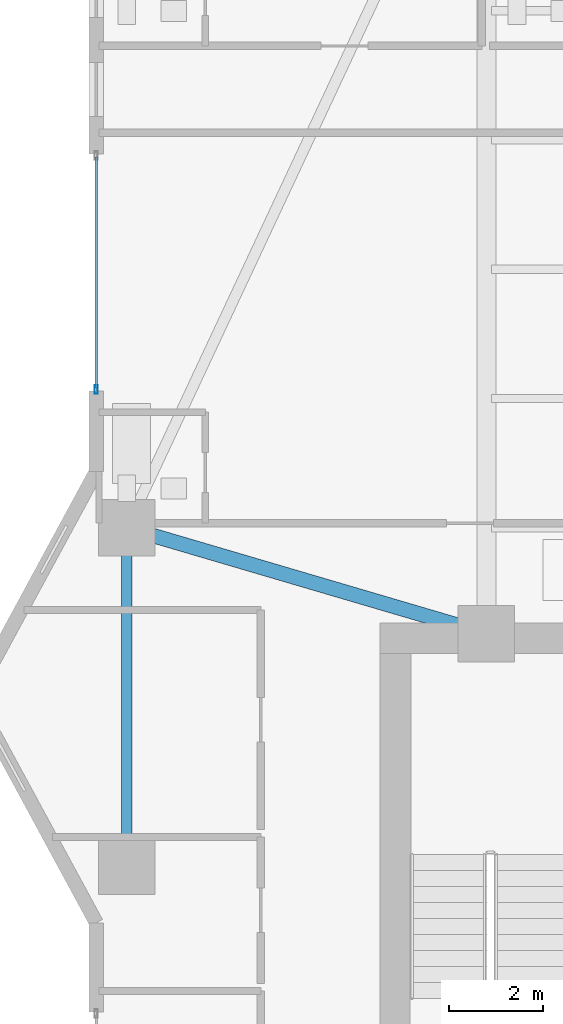
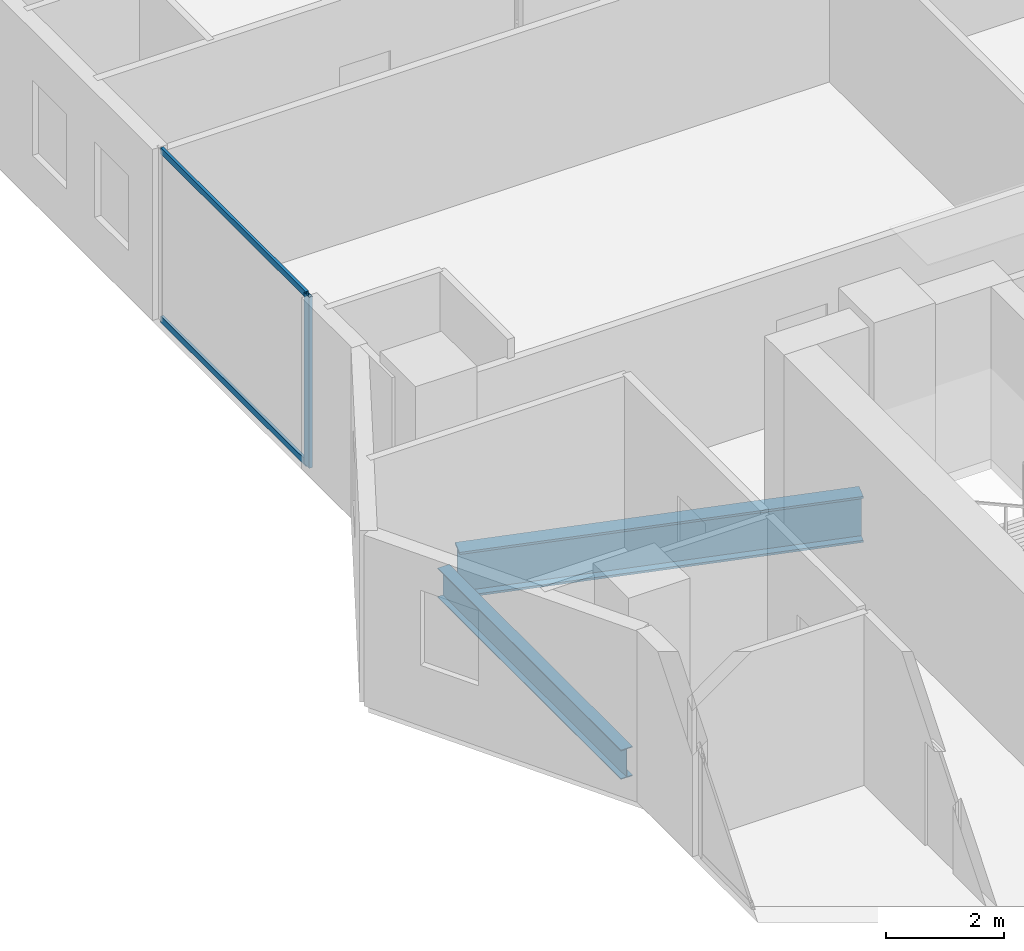
# One storey, part 7 of 32: 3 members, 2 beams, 1 element without a shape of its own.
"""IFC4 building model written with IfcOpenShell, lengths in metres."""

import ifcopenshell
import ifcopenshell.guid

model = None  # the IFC model being written
_history = None  # IfcOwnerHistory: only IFC2X3 demands one
_inside = {}  # id of a spatial element -> (the spatial element, [elements in it])
_under = {}  # id of a project, library or spatial element -> (it, [spatial elements below it])
_declared = {}  # id of a project -> (the project, [libraries it declares])
_typed = {}  # id of a type object -> (the type object, [elements of that type])
_made_of = {}  # id of a material, layer set ... -> (it, [elements and type objects made of it])


def new_model(schema):
    """Start an empty IFC model of exactly this schema.

    Asked for "IFC4X3", IfcOpenShell would pick the latest addendum, in which some entities
    have other attributes; the version numbers below select the first issue.
    IFC2X3 requires an IfcOwnerHistory on every rooted entity: one is made here for all.
    """
    global model, _history
    if schema == "IFC4X3":
        model = ifcopenshell.file(schema_version=(4, 3, 0, 0))
    else:
        model = ifcopenshell.file(schema=schema)
    _inside.clear()
    _under.clear()
    _declared.clear()
    _typed.clear()
    _made_of.clear()
    _history = None
    if model.schema == "IFC2X3":
        org = make("IfcOrganization", Name="unknown")
        user = make(
            "IfcPersonAndOrganization",
            ThePerson=make("IfcPerson", FamilyName="unknown"),
            TheOrganization=org,
        )
        app = make(
            "IfcApplication",
            ApplicationDeveloper=org,
            Version="unknown",
            ApplicationFullName="unknown",
            ApplicationIdentifier="unknown",
        )
        _history = make(
            "IfcOwnerHistory",
            OwningUser=user,
            OwningApplication=app,
            ChangeAction="ADDED",
            CreationDate=0,
        )
    return model


def make(cls, **values):
    """One entity of the class cls with the attributes given. An attribute that is None is left unset."""
    return model.create_entity(
        cls, **{name: value for name, value in values.items() if value is not None}
    )


def rooted(cls, **values):
    """An entity with a GlobalId (a new one), such as an element, a storey or a relation."""
    return make(cls, GlobalId=ifcopenshell.guid.new(), OwnerHistory=_history, **values)


def si_unit(unit_type, name, prefix=None):
    """IfcSIUnit, for example si_unit("LENGTHUNIT", "METRE", prefix="MILLI")."""
    return make("IfcSIUnit", UnitType=unit_type, Prefix=prefix, Name=name)


def assignment(units):
    """IfcUnitAssignment: the units of a project."""
    return None if units is None else make("IfcUnitAssignment", Units=units)


def point(xyz):
    """IfcCartesianPoint."""
    return None if xyz is None else make("IfcCartesianPoint", Coordinates=xyz)


def direction(xyz):
    """IfcDirection."""
    return None if xyz is None else make("IfcDirection", DirectionRatios=xyz)


def frame(location, z_axis=None, x_axis=None):
    """IfcAxis2Placement3D, a coordinate frame: its origin and axes. An axis left out is left unset."""
    return make(
        "IfcAxis2Placement3D",
        Location=point(location),
        Axis=direction(z_axis),
        RefDirection=direction(x_axis),
    )


def frame_2d(location, x_axis=None):
    """IfcAxis2Placement2D, a coordinate frame in the plane: its origin and x axis."""
    return make(
        "IfcAxis2Placement2D", Location=point(location), RefDirection=direction(x_axis)
    )


def origin():
    """The frame at (0, 0, 0) with its axes left unset."""
    return frame((0.0, 0.0, 0.0))


def origin_2d():
    """The frame at (0, 0) in the plane with its x axis left unset."""
    return frame_2d((0.0, 0.0))


def place(relative_to, where):
    """IfcLocalPlacement: puts the frame where relative to a parent placement (None: the world)."""
    return make(
        "IfcLocalPlacement", PlacementRelTo=relative_to, RelativePlacement=where
    )


def context(
    kind, dimensions, precision=None, world=None, true_north=None, identifier=None
):
    """IfcGeometricRepresentationContext, for example the 3D "Model" context."""
    return make(
        "IfcGeometricRepresentationContext",
        ContextIdentifier=identifier,
        ContextType=kind,
        CoordinateSpaceDimension=dimensions,
        Precision=precision,
        WorldCoordinateSystem=world,
        TrueNorth=true_north,
    )


def subcontext(parent, identifier, kind, view, scale=None):
    """IfcGeometricRepresentationSubContext, for example "Body" below "Model"."""
    return make(
        "IfcGeometricRepresentationSubContext",
        ContextIdentifier=identifier,
        ContextType=kind,
        ParentContext=parent,
        TargetScale=scale,
        TargetView=view,
    )


def project(units=None, contexts=None):
    """IfcProject with its units and contexts."""
    return rooted(
        "IfcProject",
        Name="project",
        RepresentationContexts=contexts,
        UnitsInContext=assignment(units),
    )


def spatial(cls, under=None, at=None, **own):
    """A site, building, storey or space (cls), placed at a placement, below another one or the project."""
    s = rooted(cls, ObjectPlacement=at, **own)
    if under is not None:
        _under.setdefault(under.id(), (under, []))[1].append(s)
    return s


def profile(cls, at=None, kind="AREA", **sizes):
    """A parametric profile (cls). Its sizes go by their IFC names, for example OverallWidth=200.0."""
    return make(cls, ProfileType=kind, Position=at, **sizes)


def hollow_rectangle(**sizes):
    """IfcRectangleHollowProfileDef."""
    return profile("IfcRectangleHollowProfileDef", **sizes)


def i_section(**sizes):
    """IfcIShapeProfileDef."""
    return profile("IfcIShapeProfileDef", **sizes)


def extrude(swept, where, along, depth):
    """IfcExtrudedAreaSolid: the profile swept, set in the frame where, extruded along a direction by depth."""
    return make(
        "IfcExtrudedAreaSolid",
        SweptArea=swept,
        Position=where,
        ExtrudedDirection=direction(along),
        Depth=depth,
    )


def shape(context_of_items, identifier, shape_type, items):
    """IfcShapeRepresentation: the items that make up one representation, for example the "Body"."""
    return make(
        "IfcShapeRepresentation",
        ContextOfItems=context_of_items,
        RepresentationIdentifier=identifier,
        RepresentationType=shape_type,
        Items=items,
    )


def material(Name=None, Category=None):
    """IfcMaterial."""
    return make("IfcMaterial", Name=Name, Category=Category)


def layer(
    of_material, thickness, ventilated=None, Name=None, Category=None, Priority=None
):
    """IfcMaterialLayer: one layer of a wall or slab, of a material (None: an air gap)."""
    return make(
        "IfcMaterialLayer",
        Material=of_material,
        LayerThickness=thickness,
        IsVentilated=ventilated,
        Name=Name,
        Category=Category,
        Priority=Priority,
    )


def layer_set(layers, Name=None):
    """IfcMaterialLayerSet."""
    return make("IfcMaterialLayerSet", MaterialLayers=layers, LayerSetName=Name)


def material_profile(
    of_material, cross_section, Name=None, Category=None, Priority=None
):
    """IfcMaterialProfile: a cross section and its material."""
    return make(
        "IfcMaterialProfile",
        Name=Name,
        Material=of_material,
        Profile=cross_section,
        Priority=Priority,
        Category=Category,
    )


def profile_set(profiles, Name=None, composite=None):
    """IfcMaterialProfileSet."""
    return make(
        "IfcMaterialProfileSet",
        Name=Name,
        MaterialProfiles=profiles,
        CompositeProfile=composite,
    )


def made_of(thing, what):
    """Note that an element or type object is made of a material, layer set ...; save() writes the relation."""
    if what is not None:
        _made_of.setdefault(what.id(), (what, []))[1].append(thing)
    return thing


def type_object(cls, material=None, **own):
    """A type object (cls), such as IfcWallType, which elements share."""
    return made_of(rooted(cls, **own), material)


def element(
    cls,
    number,
    at=None,
    inside=None,
    cuts=None,
    type_object=None,
    material=None,
    context=None,
    identifier="Body",
    shape_type=None,
    held_by="IfcProductDefinitionShape",
    body=None,
    shapes=None,
    **own,
):
    """One element of the class cls, such as IfcWall. Its Tag is "e" and its number.

    at: its placement. inside: the storey or other place that contains it. cuts: it is an
    opening in that element (IfcRelVoidsElement). A single representation is given by context,
    identifier, shape_type and body (its items); several are given by shapes. held_by: the class
    of the entity that holds the representations. save() writes the other relations.
    """
    e = rooted(cls, Tag="e%d" % number, ObjectPlacement=at, **own)
    if body is not None:
        shapes = [shape(context, identifier, shape_type, body)]
    if shapes is not None:
        e.Representation = make(held_by, Representations=shapes)
    if inside is not None:
        _inside.setdefault(inside.id(), (inside, []))[1].append(e)
    if cuts is not None:
        rooted(
            "IfcRelVoidsElement", RelatingBuildingElement=cuts, RelatedOpeningElement=e
        )
    if type_object is not None:
        _typed.setdefault(type_object.id(), (type_object, []))[1].append(e)
    return made_of(e, material)


def aggregate(whole, parts):
    """IfcRelAggregates: a whole, such as a stair, and the parts it consists of."""
    return rooted("IfcRelAggregates", RelatingObject=whole, RelatedObjects=parts)


def save(model, path):
    """Write the relations noted so far, then the file.

    IfcRelAggregates (storeys below a building ...), IfcRelContainedInSpatialStructure (elements
    in a storey), IfcRelDefinesByType, IfcRelAssociatesMaterial and IfcRelDeclares: one each for
    every whole, place, type object, material and project.
    """
    for whole, parts in _under.values():
        aggregate(whole, parts)
    for where, things in _inside.values():
        rooted(
            "IfcRelContainedInSpatialStructure",
            RelatedElements=things,
            RelatingStructure=where,
        )
    for kind, things in _typed.values():
        rooted("IfcRelDefinesByType", RelatedObjects=things, RelatingType=kind)
    for what, things in _made_of.values():
        rooted("IfcRelAssociatesMaterial", RelatedObjects=things, RelatingMaterial=what)
    for by, libraries in _declared.values():
        rooted("IfcRelDeclares", RelatingContext=by, RelatedDefinitions=libraries)
    model.write(path)


model = new_model("IFC4")

# Units and contexts
model_context = context("Model", 3, precision=1e-05, world=origin(), true_north=direction((0.0, 1.0)))
body_context = subcontext(model_context, "Body", "Model", "MODEL_VIEW")
ifc_project = project(units=[si_unit("LENGTHUNIT", "METRE"), si_unit("AREAUNIT", "SQUARE_METRE"), si_unit("VOLUMEUNIT", "CUBIC_METRE"), si_unit("PLANEANGLEUNIT", "RADIAN"), si_unit("MASSUNIT", "GRAM", prefix="KILO")], contexts=[model_context])

# Site, building, storey
site_placement = place(None, origin())
site = spatial("IfcSite", under=ifc_project, at=site_placement, CompositionType="ELEMENT")
building_placement = place(site_placement, origin())
building = spatial("IfcBuilding", under=site, at=building_placement, Name="Zuhayl Quay Hotel", CompositionType="ELEMENT")
storey_placement = place(building_placement, frame((0.0, 0.0, 192.39990234375)))
storey = spatial("IfcBuildingStorey", under=building, at=storey_placement, Name="L48", CompositionType="ELEMENT", Elevation=192.39990234375)

# Beams
ifc_material_1 = material(Name="Steel ASTM A992 Grade 50", Category="steel")
ifc_material_profile_1 = material_profile(ifc_material_1, i_section(OverallWidth=0.22802734375, OverallDepth=0.60693359375, WebThickness=0.01123046875, FlangeThickness=0.017333984375, at=origin_2d()), Name="W24X76")
ifc_profile_set_1 = profile_set([ifc_material_profile_1], Name="Steel ASTM A992 Grade 50")
beam_type_1 = type_object("IfcBeamType", Name="BM_B3_W24X76", PredefinedType="BEAM", material=ifc_profile_set_1)
beam_1_placement = place(storey_placement, frame((-21.449951171875, 16.10009765625, -0.5234375), z_axis=(0.0, -1.0, 0.0), x_axis=(1.0, 0.0, 0.0)))
element("IfcBeam", 1, at=beam_1_placement, inside=storey, type_object=beam_type_1, Name="L48 Floor Beam RG_L48_11", PredefinedType="BEAM", context=body_context, shape_type="SweptSolid", body=[
    extrude(i_section(OverallWidth=0.22802734375, OverallDepth=0.60693359375, WebThickness=0.01123046875, FlangeThickness=0.017333984375, at=origin_2d()), origin(), (0.0, 0.0, 1.0), 6.2001953125),
])
ifc_material_profile_2 = material_profile(ifc_material_1, i_section(OverallWidth=0.31005859375, OverallDepth=0.949951171875, WebThickness=0.0244140625, FlangeThickness=0.0439453125, at=origin_2d()), Name="W36X256")
ifc_profile_set_2 = profile_set([ifc_material_profile_2], Name="Steel ASTM A992 Grade 50")
beam_type_2 = type_object("IfcBeamType", Name="BM_PG1_W36X256", PredefinedType="BEAM", material=ifc_profile_set_2)
beam_2_placement = place(storey_placement, frame((-20.97021484375, 16.458984375, -0.69482421875), z_axis=(0.959364948093, -0.282168205812, 0.0), x_axis=(0.282168205812, 0.959364948093, 0.0)))
element("IfcBeam", 2, at=beam_2_placement, inside=storey, type_object=beam_type_2, Name="L48 Floor Beam FG_W_L48_2", PredefinedType="BEAM", context=body_context, shape_type="SweptSolid", body=[
    extrude(i_section(OverallWidth=0.31005859375, OverallDepth=0.949951171875, WebThickness=0.0244140625, FlangeThickness=0.0439453125, at=origin_2d()), origin(), (0.0, 0.0, 1.0), 7.02392578125),
])

# Curtain wall, members
ifc_material_2 = material(Name="Anodised Aluminium 6063-T6", Category="aluminium")
ifc_layer = layer(ifc_material_2, 0.175048828125, Name="Anodised Aluminium 6063-T6", Category="aluminium")
ifc_layer_set = layer_set([ifc_layer], Name="Anodised Aluminium 6063-T6")
curtain_wall_type = type_object("IfcCurtainWallType", Name="CW_SYS_Z3", PredefinedType="USERDEFINED", material=ifc_layer_set)
curtain_wall_placement = place(storey_placement, origin())
curtain_wall = element("IfcCurtainWall", 3, at=curtain_wall_placement, inside=storey, type_object=curtain_wall_type, Name="L48 Curtain Wall ENV_L48_E05_CW1", ObjectType="UNITISED CURTAIN WALL", PredefinedType="USERDEFINED")
ifc_material_3 = material(Name="Black-anodised aluminium 6063-T6", Category="aluminium")
ifc_material_profile_3 = material_profile(ifc_material_3, hollow_rectangle(XDim=0.06494140625, YDim=0.179931640625, WallThickness=0.00341796875, at=origin_2d()), Name="ALU180X65")
ifc_profile_set_3 = profile_set([ifc_material_profile_3], Name="Black-anodised aluminium 6063-T6")
member_type_1 = type_object("IfcMemberType", Name="MB_CW_MUL_180", PredefinedType="MULLION", material=ifc_profile_set_3)
member_1_placement = place(storey_placement, frame((-22.10009765625, 19.54248046875, 0.0), z_axis=(0.0, 0.0, 1.0), x_axis=(-1.0, 0.0, 0.0)))
member_1 = element("IfcMember", 4, at=member_1_placement, type_object=member_type_1, Name="CW-Z3 mullion 1", PredefinedType="MULLION", context=body_context, shape_type="SweptSolid", body=[
    extrude(hollow_rectangle(XDim=0.06494140625, YDim=0.179931640625, WallThickness=0.00341796875, at=origin_2d()), origin(), (0.0, 0.0, 1.0), 3.530029296875),
])
ifc_material_profile_4 = material_profile(ifc_material_3, hollow_rectangle(XDim=0.054931640625, YDim=0.1298828125, WallThickness=0.0029296875, at=origin_2d()), Name="ALU130X55")
ifc_profile_set_4 = profile_set([ifc_material_profile_4], Name="Black-anodised aluminium 6063-T6")
member_type_2 = type_object("IfcMemberType", Name="MB_CW_TRN_130", PredefinedType="USERDEFINED", material=ifc_profile_set_4)
member_2_placement = place(storey_placement, frame((-22.10009765625, 19.574951171875, 0.027587890625), z_axis=(0.0, 1.0, 0.0), x_axis=(-1.0, 0.0, 0.0)))
member_2 = element("IfcMember", 5, at=member_2_placement, type_object=member_type_2, Name="CW-Z3 transom 1.1", ObjectType="TRANSOM", PredefinedType="USERDEFINED", context=body_context, shape_type="SweptSolid", body=[
    extrude(hollow_rectangle(XDim=0.054931640625, YDim=0.1298828125, WallThickness=0.0029296875, at=origin_2d()), origin(), (0.0, 0.0, 1.0), 4.91015625),
])
member_3_placement = place(storey_placement, frame((-22.10009765625, 19.574951171875, 3.502685546875), z_axis=(0.0, 1.0, 0.0), x_axis=(-1.0, 0.0, 0.0)))
member_3 = element("IfcMember", 6, at=member_3_placement, type_object=member_type_2, Name="CW-Z3 transom 1.2", ObjectType="TRANSOM", PredefinedType="USERDEFINED", context=body_context, shape_type="SweptSolid", body=[
    extrude(hollow_rectangle(XDim=0.054931640625, YDim=0.1298828125, WallThickness=0.0029296875, at=origin_2d()), origin(), (0.0, 0.0, 1.0), 4.91015625),
])
aggregate(curtain_wall, [member_1, member_2, member_3])

save(model, "model.ifc")
